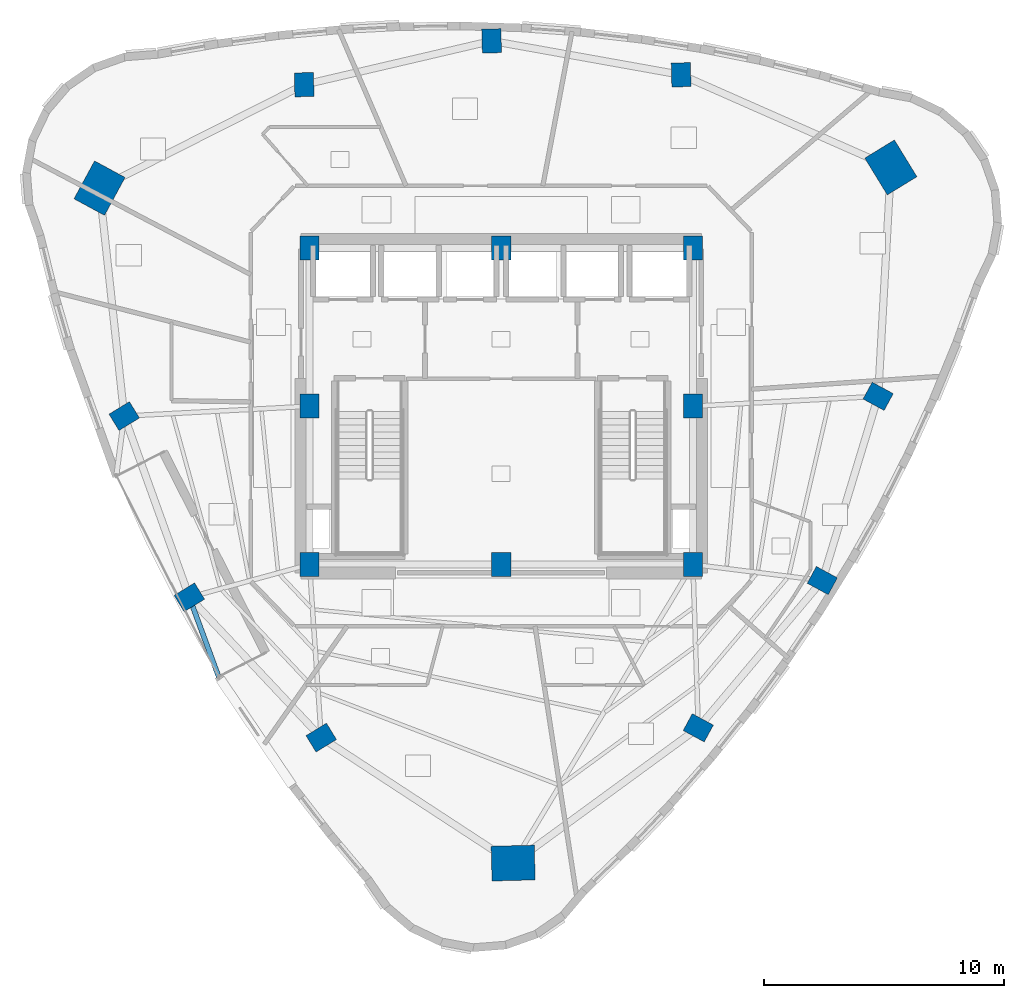
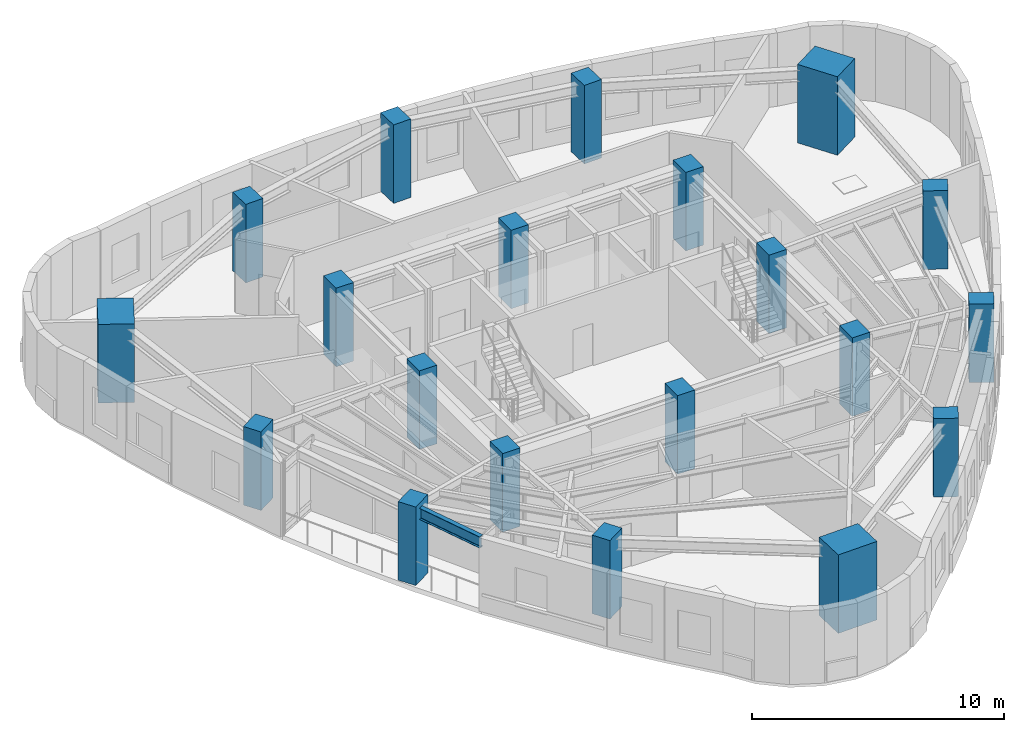
# One storey, part 1 of 12: 20 columns, 1 beam.
"""IFC4 building model written with IfcOpenShell, lengths in metres."""

from ifc_helpers import new_model, si_unit, direction, frame, origin, origin_2d, place, context, subcontext, project, spatial, rectangle, i_section, extrude, material, material_profile, profile_set, type_object, element, save


model = new_model("IFC4")

# Units and contexts
model_context = context("Model", 3, precision=1e-05, world=origin(), true_north=direction((0.0, 1.0)))
body_context = subcontext(model_context, "Body", "Model", "MODEL_VIEW")
ifc_project = project(units=[si_unit("LENGTHUNIT", "METRE"), si_unit("AREAUNIT", "SQUARE_METRE"), si_unit("VOLUMEUNIT", "CUBIC_METRE"), si_unit("PLANEANGLEUNIT", "RADIAN"), si_unit("MASSUNIT", "GRAM", prefix="KILO")], contexts=[model_context])

# Site, building, storey
site_placement = place(None, origin())
site = spatial("IfcSite", under=ifc_project, at=site_placement, CompositionType="ELEMENT")
building_placement = place(site_placement, origin())
building = spatial("IfcBuilding", under=site, at=building_placement, Name="Ndelora Gate Hotel", CompositionType="ELEMENT")
storey_placement = place(building_placement, frame((0.0, 0.0, 194.14990234375)))
storey = spatial("IfcBuildingStorey", under=building, at=storey_placement, Name="L48", CompositionType="ELEMENT", Elevation=194.14990234375)

# Columns
ifc_material_1 = material(Name="Concrete C50/60", Category="concrete")
ifc_material_profile_1 = material_profile(ifc_material_1, rectangle(XDim=0.800048828125, YDim=1.0, at=origin_2d()), Name="RC 1000x800")
ifc_profile_set_1 = profile_set([ifc_material_profile_1], Name="Concrete C50/60")
column_type_1 = type_object("IfcColumnType", Name="COL-CC-HI", PredefinedType="COLUMN", material=ifc_profile_set_1)
for number, where, z_axis, x_axis, name in (
    (1, (-8.0, -6.60009765625, 0.0), (0.0, 0.0, 1.0), (1.0, 0.0, 0.0), "L48 Core Column CC1"),
    (2, (0.0, -6.60009765625, 0.0), (0.0, 0.0, 1.0), (1.0, 0.0, 0.0), "L48 Core Column CC2"),
    (3, (8.0, -6.60009765625, 0.0), (0.0, 0.0, 1.0), (1.0, 0.0, 0.0), "L48 Core Column CC3"),
    (4, (8.0, 0.0, 0.0), (0.0, 0.0, 1.0), (1.0, 0.0, 0.0), "L48 Core Column CC4"),
    (5, (8.0, 6.60009765625, 0.0), (0.0, 0.0, 1.0), (1.0, 0.0, 0.0), "L48 Core Column CC5"),
    (6, (0.0, 6.60009765625, 0.0), (0.0, 0.0, 1.0), (1.0, 0.0, 0.0), "L48 Core Column CC6"),
    (7, (-8.0, 6.60009765625, 0.0), (0.0, 0.0, 1.0), (1.0, 0.0, 0.0), "L48 Core Column CC7"),
    (8, (-8.0, 0.0, 0.0), (0.0, 0.0, 1.0), (1.0, 0.0, 0.0), "L48 Core Column CC8"),
):
    element("IfcColumn", number, at=place(storey_placement, frame(where, z_axis=z_axis, x_axis=x_axis)), inside=storey, type_object=column_type_1, Name=name, PredefinedType="COLUMN", context=body_context, shape_type="SweptSolid", body=[
        extrude(rectangle(XDim=0.800048828125, YDim=1.0, at=origin_2d()), origin(), (0.0, 0.0, 1.0), 3.800048828125),
    ])
ifc_material_profile_2 = material_profile(ifc_material_1, rectangle(XDim=1.449951171875, YDim=1.800048828125, at=origin_2d()), Name="RC 1800x1450")
ifc_profile_set_2 = profile_set([ifc_material_profile_2], Name="Concrete C50/60")
column_type_2 = type_object("IfcColumnType", Name="COL-MC-Z3", PredefinedType="COLUMN", material=ifc_profile_set_2)
for number, where, z_axis, x_axis, name in (
    (9, (-16.759521484375, 9.099609375, 0.0), (0.0, 0.0, 1.0), (-0.878817112662, 0.47715876026, 0.0), "L48 Corner Mega-Column R1"),
    (10, (0.499267578125, -19.064208984375, 0.0), (0.0, 0.0, 1.0), (-0.026176948308, 0.999657324976, 0.0), "L48 Corner Mega-Column R5"),
    (11, (16.26025390625, 9.96435546875, 0.0), (0.0, 0.0, 1.0), (0.852640164354, 0.522498564716, 0.0), "L48 Corner Mega-Column R9"),
):
    element("IfcColumn", number, at=place(storey_placement, frame(where, z_axis=z_axis, x_axis=x_axis)), inside=storey, type_object=column_type_2, Name=name, PredefinedType="COLUMN", context=body_context, shape_type="SweptSolid", body=[
        extrude(rectangle(XDim=1.449951171875, YDim=1.800048828125, at=origin_2d()), origin(), (0.0, 0.0, 1.0), 3.800048828125),
    ])
ifc_material_profile_3 = material_profile(ifc_material_1, rectangle(XDim=0.800048828125, YDim=1.0, at=origin_2d()), Name="RC 1000x800")
ifc_profile_set_3 = profile_set([ifc_material_profile_3], Name="Concrete C50/60")
column_type_3 = type_object("IfcColumnType", Name="COL-PT-Z3", PredefinedType="COLUMN", material=ifc_profile_set_3)
for number, where, z_axis, x_axis, name in (
    (12, (-15.72998046875, -0.411865234375, 0.0), (0.0, 0.0, 1.0), (-0.522498564716, 0.852640164354, 0.0), "L48 Perimeter Tube Column R2"),
    (13, (-13.011962890625, -7.973876953125, 0.0), (0.0, 0.0, 1.0), (-0.522498564716, 0.852640164354, 0.0), "L48 Perimeter Tube Column R3"),
    (14, (-7.50830078125, -13.828369140625, 0.0), (0.0, 0.0, 1.0), (-0.522498564716, 0.852640164354, 0.0), "L48 Perimeter Tube Column R4"),
    (15, (8.223876953125, -13.419921875, 0.0), (0.0, 0.0, 1.0), (0.47715876026, 0.878817112662, 0.0), "L48 Perimeter Tube Column R6"),
    (16, (13.400390625, -7.275634765625, 0.0), (0.0, 0.0, 1.0), (0.47715876026, 0.878817112662, 0.0), "L48 Perimeter Tube Column R7"),
    (17, (15.72998046875, 0.411865234375, 0.0), (0.0, 0.0, 1.0), (0.47715876026, 0.878817112662, 0.0), "L48 Perimeter Tube Column R8"),
    (18, (7.50830078125, 13.828369140625, 0.0), (0.0, 0.0, 1.0), (0.999657324976, 0.026176948308, 0.0), "L48 Perimeter Tube Column R10"),
    (19, (-0.399169921875, 15.242919921875, 0.0), (0.0, 0.0, 1.0), (0.999657324976, 0.026176948308, 0.0), "L48 Perimeter Tube Column R11"),
    (20, (-8.2216796875, 13.41650390625, 0.0), (0.0, 0.0, 1.0), (0.999657324976, 0.026176948308, 0.0), "L48 Perimeter Tube Column R12"),
):
    element("IfcColumn", number, at=place(storey_placement, frame(where, z_axis=z_axis, x_axis=x_axis)), inside=storey, type_object=column_type_3, Name=name, PredefinedType="COLUMN", context=body_context, shape_type="SweptSolid", body=[
        extrude(rectangle(XDim=0.800048828125, YDim=1.0, at=origin_2d()), origin(), (0.0, 0.0, 1.0), 3.800048828125),
    ])

# Beam
ifc_material_2 = material(Name="Steel S355", Category="steel")
ifc_material_profile_4 = material_profile(ifc_material_2, i_section(OverallWidth=0.2099609375, OverallDepth=0.550048828125, WebThickness=0.010986328125, FlangeThickness=0.01708984375, FilletRadius=0.02392578125, at=origin_2d()), Name="IPE 550")
ifc_profile_set_4 = profile_set([ifc_material_profile_4], Name="Steel S355")
beam_type = type_object("IfcBeamType", Name="BM-RAD-550", PredefinedType="BEAM", material=ifc_profile_set_4)
beam_placement = place(storey_placement, frame((-13.011962890625, -7.973876953125, 3.275146484375), z_axis=(0.34572460366, -0.938336026391, 0.0), x_axis=(0.938336026391, 0.34572460366, 0.0)))
element("IfcBeam", 21, at=beam_placement, inside=storey, type_object=beam_type, Name="L48 Sky-Garden Loggia Column Bracket 3", PredefinedType="BEAM", context=body_context, shape_type="SweptSolid", body=[
    extrude(i_section(OverallWidth=0.2099609375, OverallDepth=0.550048828125, WebThickness=0.010986328125, FlangeThickness=0.01708984375, FilletRadius=0.02392578125, at=origin_2d()), origin(), (0.0, 0.0, 1.0), 3.52734375),
])

save(model, "model.ifc")
